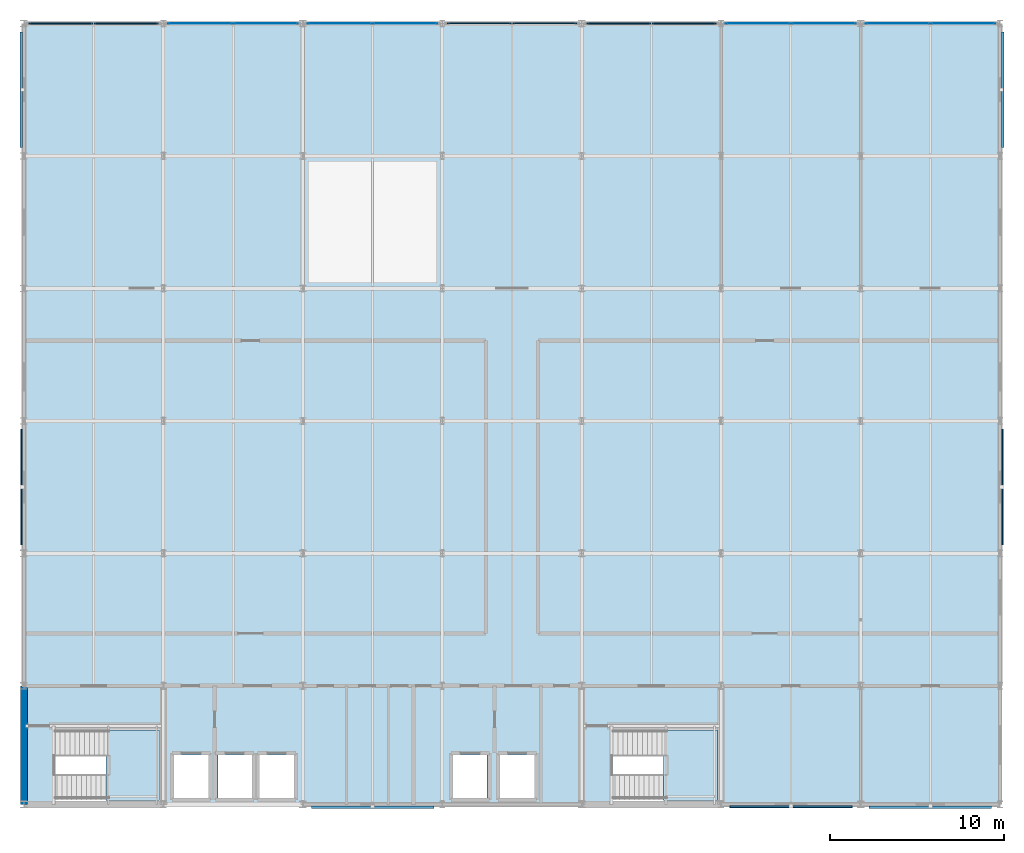
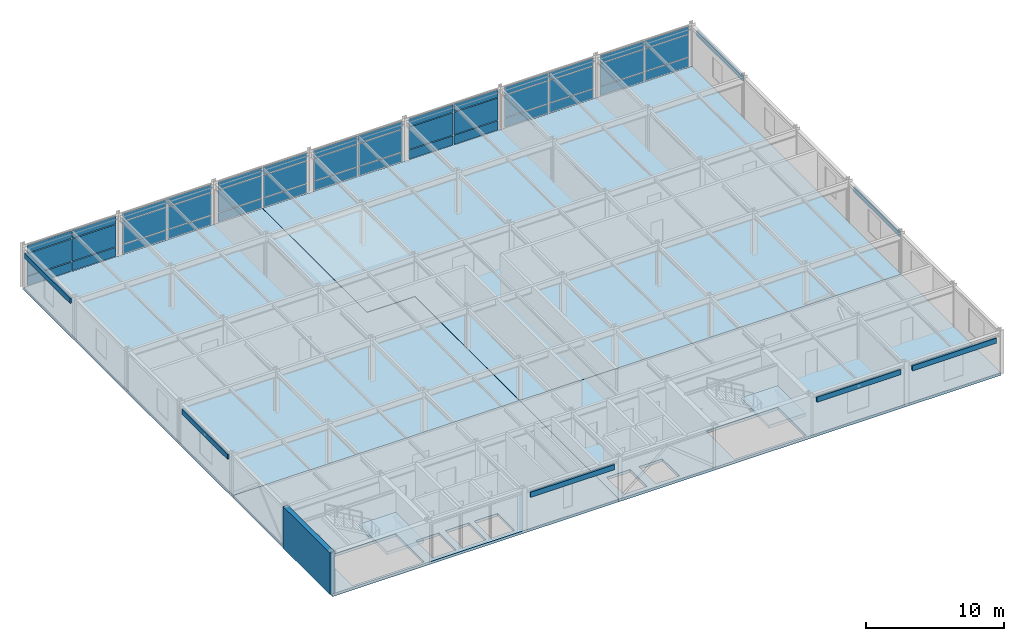
# One storey, part 10 of 14: 49 plates, 6 slabs, 1 wall, 9 elements without a shape of their own.
"""IFC4 building model written with IfcOpenShell, lengths in metres."""

from ifc_helpers import new_model, si_unit, direction, frame, frame_2d, origin, origin_2d, place, context, subcontext, project, spatial, polyline, rectangle, outline, extrude, material, layer, layer_set, type_object, element, aggregate, save


model = new_model("IFC4")

# Units and contexts
model_context = context("Model", 3, precision=1e-05, world=origin(), true_north=direction((0.0, 1.0)))
body_context = subcontext(model_context, "Body", "Model", "MODEL_VIEW")
ifc_project = project(units=[si_unit("LENGTHUNIT", "METRE"), si_unit("AREAUNIT", "SQUARE_METRE"), si_unit("VOLUMEUNIT", "CUBIC_METRE"), si_unit("PLANEANGLEUNIT", "RADIAN"), si_unit("MASSUNIT", "GRAM", prefix="KILO")], contexts=[model_context])

# Site, building, storey
site_placement = place(None, origin())
site = spatial("IfcSite", under=ifc_project, at=site_placement, CompositionType="ELEMENT")
building_placement = place(site_placement, origin())
building = spatial("IfcBuilding", under=site, at=building_placement, Name="Shalkamar Park Central Library", CompositionType="ELEMENT")
storey_placement = place(building_placement, frame((0.0, 0.0, 32.10009765625)))
storey = spatial("IfcBuildingStorey", under=building, at=storey_placement, Name="L08", CompositionType="ELEMENT", Elevation=32.10009765625)

# Plates
ifc_material_1 = material(Name="Anodized bronze architectural frieze plate", Category="aluminium")
ifc_layer_1 = layer(ifc_material_1, 0.110107421875)
ifc_layer_set_1 = layer_set([ifc_layer_1], Name="BronzeSpandrelFriezePlate_110")
plate_type_1 = type_object("IfcPlateType", Name="Bronze Spandrel Frieze Plate 110", PredefinedType="USERDEFINED", material=ifc_layer_set_1)
plate_1_placement = place(storey_placement, frame((209.0, 248.260009765625, 2.91796875), z_axis=(0.0, 0.0, 1.0), x_axis=(1.0, 0.0, 0.0)))
element("IfcPlate", 1, at=plate_1_placement, inside=storey, type_object=plate_type_1, Name="Bronze Spandrel Frieze Plate L08-043", ObjectType="CLADDING", PredefinedType="USERDEFINED", context=body_context, shape_type="SweptSolid", body=[
    extrude(rectangle(XDim=7.028076171875, YDim=0.110107421875, at=origin_2d()), origin(), (0.0, 0.0, 1.0), 0.449951171875),
])
for number, where, z_axis, x_axis, name in (
    (2, (164.860107421875, 266.60009765625, 2.9580078125), (0.0, 0.0, 1.0), (1.0, 0.0, 0.0), "Bronze Spandrel Frieze Plate L08-045"),
    (3, (221.139892578125, 266.60009765625, 2.9580078125), (0.0, 0.0, 1.0), (1.0, 0.0, 0.0), "Bronze Spandrel Frieze Plate L08-047"),
):
    element("IfcPlate", number, at=place(storey_placement, frame(where, z_axis=z_axis, x_axis=x_axis)), inside=storey, type_object=plate_type_1, Name=name, ObjectType="CLADDING", PredefinedType="USERDEFINED", context=body_context, shape_type="SweptSolid", body=[
        extrude(rectangle(XDim=0.110107421875, YDim=6.6279296875, at=origin_2d()), origin(), (0.0, 0.0, 1.0), 0.449951171875),
    ])
ifc_material_2 = material(Name="Anodized bronze stepped frieze plate", Category="aluminium")
ifc_layer_2 = layer(ifc_material_2, 0.139892578125)
ifc_layer_set_2 = layer_set([ifc_layer_2], Name="PostmodernKeystoneFriezePlate_140")
plate_type_2 = type_object("IfcPlateType", Name="Postmodern Keystone Frieze Plate 140", PredefinedType="USERDEFINED", material=ifc_layer_set_2)
for number, where, z_axis, x_axis, name in (
    (4, (185.0, 248.2451171875, 2.91796875), (0.0, 0.0, 1.0), (1.0, 0.0, 0.0), "Bronze Spandrel Frieze Plate L08-042"),
    (5, (217.0, 248.2451171875, 2.91796875), (0.0, 0.0, 1.0), (1.0, 0.0, 0.0), "Bronze Spandrel Frieze Plate L08-044"),
):
    element("IfcPlate", number, at=place(storey_placement, frame(where, z_axis=z_axis, x_axis=x_axis)), inside=storey, type_object=plate_type_2, Name=name, ObjectType="CLADDING", PredefinedType="USERDEFINED", context=body_context, shape_type="SweptSolid", body=[
        extrude(rectangle(XDim=7.028076171875, YDim=0.139892578125, at=origin_2d()), origin(), (0.0, 0.0, 1.0), 0.449951171875),
    ])
for number, where, z_axis, x_axis, name in (
    (6, (164.844970703125, 289.39990234375, 2.9580078125), (0.0, 0.0, 1.0), (1.0, 0.0, 0.0), "Bronze Spandrel Frieze Plate L08-046"),
    (7, (221.155029296875, 289.39990234375, 2.9580078125), (0.0, 0.0, 1.0), (1.0, 0.0, 0.0), "Bronze Spandrel Frieze Plate L08-048"),
):
    element("IfcPlate", number, at=place(storey_placement, frame(where, z_axis=z_axis, x_axis=x_axis)), inside=storey, type_object=plate_type_2, Name=name, ObjectType="CLADDING", PredefinedType="USERDEFINED", context=body_context, shape_type="SweptSolid", body=[
        extrude(rectangle(XDim=0.139892578125, YDim=6.6279296875, at=origin_2d()), origin(), (0.0, 0.0, 1.0), 0.449951171875),
    ])

# Curtain wall, plates
ifc_material_3 = material(Name="Thermally broken aluminium and triple low-e curtain wall", Category="aluminium")
ifc_layer_3 = layer(ifc_material_3, 0.27001953125)
ifc_layer_set_3 = layer_set([ifc_layer_3], Name="UnitisedCurtainWall_76")
curtain_wall_type_1 = type_object("IfcCurtainWallType", Name="Unitised Curtain Wall 76", PredefinedType="USERDEFINED", material=ifc_layer_set_3)
curtain_wall_1_placement = place(storey_placement, origin())
curtain_wall_1 = element("IfcCurtainWall", 8, at=curtain_wall_1_placement, inside=storey, type_object=curtain_wall_type_1, Name="Unitised Curtain Wall CW-L08-106", ObjectType="UNITISED CURTAIN WALL", PredefinedType="USERDEFINED")
ifc_material_4 = material(Name="Triple-glazed solar-control glass", Category="glass")
ifc_layer_4 = layer(ifc_material_4, 0.031982421875)
ifc_layer_set_4 = layer_set([ifc_layer_4], Name="SolarControlVisionPanel_32")
plate_type_3 = type_object("IfcPlateType", Name="Solar Control Vision Panel 32", PredefinedType="CURTAIN_PANEL", material=ifc_layer_set_4)
plate_2_placement = place(storey_placement, frame((175.120361328125, 293.199951171875, 0.06494140625), z_axis=(0.0, 0.0, 1.0), x_axis=(1.0, 0.0, 0.0)))
plate_2 = element("IfcPlate", 9, at=plate_2_placement, type_object=plate_type_3, Name="CW-76 panel 1.1", PredefinedType="CURTAIN_PANEL", context=body_context, shape_type="SweptSolid", body=[
    extrude(rectangle(XDim=3.677734375, YDim=0.031982421875, at=origin_2d()), origin(), (0.0, 0.0, 1.0), 0.802490234375),
])
plate_3_placement = place(storey_placement, frame((175.120361328125, 293.199951171875, 0.93212890625), z_axis=(0.0, 0.0, 1.0), x_axis=(1.0, 0.0, 0.0)))
plate_3 = element("IfcPlate", 10, at=plate_3_placement, type_object=plate_type_3, Name="CW-76 panel 1.2", PredefinedType="CURTAIN_PANEL", context=body_context, shape_type="SweptSolid", body=[
    extrude(rectangle(XDim=3.677734375, YDim=0.031982421875, at=origin_2d()), origin(), (0.0, 0.0, 1.0), 1.965087890625),
])
plate_4_placement = place(storey_placement, frame((175.120361328125, 293.199951171875, 2.96240234375), z_axis=(0.0, 0.0, 1.0), x_axis=(1.0, 0.0, 0.0)))
plate_4 = element("IfcPlate", 11, at=plate_4_placement, type_object=plate_type_3, Name="CW-76 panel 1.3", PredefinedType="CURTAIN_PANEL", context=body_context, shape_type="SweptSolid", body=[
    extrude(rectangle(XDim=3.677734375, YDim=0.031982421875, at=origin_2d()), origin(), (0.0, 0.0, 1.0), 0.652587890625),
])
plate_5_placement = place(storey_placement, frame((178.878173828125, 293.199951171875, 0.06494140625), z_axis=(0.0, 0.0, 1.0), x_axis=(1.0, 0.0, 0.0)))
plate_5 = element("IfcPlate", 12, at=plate_5_placement, type_object=plate_type_3, Name="CW-76 panel 2.1", PredefinedType="CURTAIN_PANEL", context=body_context, shape_type="SweptSolid", body=[
    extrude(rectangle(XDim=3.677734375, YDim=0.031982421875, at=origin_2d()), origin(), (0.0, 0.0, 1.0), 0.802490234375),
])
plate_6_placement = place(storey_placement, frame((178.878173828125, 293.199951171875, 0.93212890625), z_axis=(0.0, 0.0, 1.0), x_axis=(1.0, 0.0, 0.0)))
plate_6 = element("IfcPlate", 13, at=plate_6_placement, type_object=plate_type_3, Name="CW-76 panel 2.2", PredefinedType="CURTAIN_PANEL", context=body_context, shape_type="SweptSolid", body=[
    extrude(rectangle(XDim=3.677734375, YDim=0.031982421875, at=origin_2d()), origin(), (0.0, 0.0, 1.0), 1.965087890625),
])
plate_7_placement = place(storey_placement, frame((178.878173828125, 293.199951171875, 2.96240234375), z_axis=(0.0, 0.0, 1.0), x_axis=(1.0, 0.0, 0.0)))
plate_7 = element("IfcPlate", 14, at=plate_7_placement, type_object=plate_type_3, Name="CW-76 panel 2.3", PredefinedType="CURTAIN_PANEL", context=body_context, shape_type="SweptSolid", body=[
    extrude(rectangle(XDim=3.677734375, YDim=0.031982421875, at=origin_2d()), origin(), (0.0, 0.0, 1.0), 0.652587890625),
])
aggregate(curtain_wall_1, [plate_2, plate_3, plate_4, plate_5, plate_6, plate_7])

ifc_layer_5 = layer(ifc_material_3, 0.260009765625)
ifc_layer_set_5 = layer_set([ifc_layer_5], Name="UnitisedCurtainWall_80")
curtain_wall_type_2 = type_object("IfcCurtainWallType", Name="Unitised Curtain Wall 80", PredefinedType="USERDEFINED", material=ifc_layer_set_5)
curtain_wall_2_placement = place(storey_placement, origin())
curtain_wall_2 = element("IfcCurtainWall", 15, at=curtain_wall_2_placement, inside=storey, type_object=curtain_wall_type_2, Name="Unitised Curtain Wall CW-L08-110", ObjectType="UNITISED CURTAIN WALL", PredefinedType="USERDEFINED")
plate_8_placement = place(storey_placement, frame((207.119140625, 293.199951171875, 0.059814453125), z_axis=(0.0, 0.0, 1.0), x_axis=(1.0, 0.0, 0.0)))
plate_8 = element("IfcPlate", 16, at=plate_8_placement, type_object=plate_type_3, Name="CW-80 panel 1.1", PredefinedType="CURTAIN_PANEL", context=body_context, shape_type="SweptSolid", body=[
    extrude(rectangle(XDim=3.685302734375, YDim=0.031982421875, at=origin_2d()), origin(), (0.0, 0.0, 1.0), 0.81005859375),
])
plate_9_placement = place(storey_placement, frame((207.119140625, 293.199951171875, 0.9296875), z_axis=(0.0, 0.0, 1.0), x_axis=(1.0, 0.0, 0.0)))
plate_9 = element("IfcPlate", 17, at=plate_9_placement, type_object=plate_type_3, Name="CW-80 panel 1.2", PredefinedType="CURTAIN_PANEL", context=body_context, shape_type="SweptSolid", body=[
    extrude(rectangle(XDim=3.685302734375, YDim=0.031982421875, at=origin_2d()), origin(), (0.0, 0.0, 1.0), 1.969970703125),
])
plate_10_placement = place(storey_placement, frame((207.119140625, 293.199951171875, 2.9599609375), z_axis=(0.0, 0.0, 1.0), x_axis=(1.0, 0.0, 0.0)))
plate_10 = element("IfcPlate", 18, at=plate_10_placement, type_object=plate_type_3, Name="CW-80 panel 1.3", PredefinedType="CURTAIN_PANEL", context=body_context, shape_type="SweptSolid", body=[
    extrude(rectangle(XDim=3.685302734375, YDim=0.031982421875, at=origin_2d()), origin(), (0.0, 0.0, 1.0), 0.659912109375),
])
plate_11_placement = place(storey_placement, frame((210.87939453125, 293.199951171875, 0.059814453125), z_axis=(0.0, 0.0, 1.0), x_axis=(1.0, 0.0, 0.0)))
plate_11 = element("IfcPlate", 19, at=plate_11_placement, type_object=plate_type_3, Name="CW-80 panel 2.1", PredefinedType="CURTAIN_PANEL", context=body_context, shape_type="SweptSolid", body=[
    extrude(rectangle(XDim=3.685302734375, YDim=0.031982421875, at=origin_2d()), origin(), (0.0, 0.0, 1.0), 0.81005859375),
])
plate_12_placement = place(storey_placement, frame((210.87939453125, 293.199951171875, 0.9296875), z_axis=(0.0, 0.0, 1.0), x_axis=(1.0, 0.0, 0.0)))
plate_12 = element("IfcPlate", 20, at=plate_12_placement, type_object=plate_type_3, Name="CW-80 panel 2.2", PredefinedType="CURTAIN_PANEL", context=body_context, shape_type="SweptSolid", body=[
    extrude(rectangle(XDim=3.685302734375, YDim=0.031982421875, at=origin_2d()), origin(), (0.0, 0.0, 1.0), 1.969970703125),
])
plate_13_placement = place(storey_placement, frame((210.87939453125, 293.199951171875, 2.9599609375), z_axis=(0.0, 0.0, 1.0), x_axis=(1.0, 0.0, 0.0)))
plate_13 = element("IfcPlate", 21, at=plate_13_placement, type_object=plate_type_3, Name="CW-80 panel 2.3", PredefinedType="CURTAIN_PANEL", context=body_context, shape_type="SweptSolid", body=[
    extrude(rectangle(XDim=3.685302734375, YDim=0.031982421875, at=origin_2d()), origin(), (0.0, 0.0, 1.0), 0.659912109375),
])
aggregate(curtain_wall_2, [plate_8, plate_9, plate_10, plate_11, plate_12, plate_13])

ifc_layer_6 = layer(ifc_material_3, 0.2548828125)
ifc_layer_set_6 = layer_set([ifc_layer_6], Name="UnitisedCurtainWall_75")
curtain_wall_type_3 = type_object("IfcCurtainWallType", Name="Unitised Curtain Wall 75", PredefinedType="USERDEFINED", material=ifc_layer_set_6)
curtain_wall_3_placement = place(storey_placement, origin())
curtain_wall_3 = element("IfcCurtainWall", 22, at=curtain_wall_3_placement, inside=storey, type_object=curtain_wall_type_3, Name="Unitised Curtain Wall CW-L08-105", ObjectType="UNITISED CURTAIN WALL", PredefinedType="USERDEFINED")
ifc_material_5 = material(Name="Insulated aluminium spandrel panel", Category="aluminium")
ifc_layer_7 = layer(ifc_material_5, 0.080078125)
ifc_layer_set_7 = layer_set([ifc_layer_7], Name="SpandrelShadowboxPanel_80")
plate_type_4 = type_object("IfcPlateType", Name="Spandrel Shadowbox Panel 80", PredefinedType="CURTAIN_PANEL", material=ifc_layer_set_7)
plate_14_placement = place(storey_placement, frame((167.121826171875, 293.199951171875, 0.06494140625), z_axis=(0.0, 0.0, 1.0), x_axis=(1.0, 0.0, 0.0)))
plate_14 = element("IfcPlate", 23, at=plate_14_placement, type_object=plate_type_4, Name="CW-75 panel 1.1", PredefinedType="CURTAIN_PANEL", context=body_context, shape_type="SweptSolid", body=[
    extrude(rectangle(XDim=3.677734375, YDim=0.080078125, at=origin_2d()), origin(), (0.0, 0.0, 1.0), 0.802490234375),
])
plate_15_placement = place(storey_placement, frame((167.121826171875, 293.199951171875, 0.93212890625), z_axis=(0.0, 0.0, 1.0), x_axis=(1.0, 0.0, 0.0)))
plate_15 = element("IfcPlate", 24, at=plate_15_placement, type_object=plate_type_4, Name="CW-75 panel 1.2", PredefinedType="CURTAIN_PANEL", context=body_context, shape_type="SweptSolid", body=[
    extrude(rectangle(XDim=3.677734375, YDim=0.080078125, at=origin_2d()), origin(), (0.0, 0.0, 1.0), 1.965087890625),
])
plate_16_placement = place(storey_placement, frame((167.121826171875, 293.199951171875, 2.96240234375), z_axis=(0.0, 0.0, 1.0), x_axis=(1.0, 0.0, 0.0)))
plate_16 = element("IfcPlate", 25, at=plate_16_placement, type_object=plate_type_4, Name="CW-75 panel 1.3", PredefinedType="CURTAIN_PANEL", context=body_context, shape_type="SweptSolid", body=[
    extrude(rectangle(XDim=3.677734375, YDim=0.080078125, at=origin_2d()), origin(), (0.0, 0.0, 1.0), 0.652587890625),
])
plate_17_placement = place(storey_placement, frame((170.879638671875, 293.199951171875, 0.06494140625), z_axis=(0.0, 0.0, 1.0), x_axis=(1.0, 0.0, 0.0)))
plate_17 = element("IfcPlate", 26, at=plate_17_placement, type_object=plate_type_4, Name="CW-75 panel 2.1", PredefinedType="CURTAIN_PANEL", context=body_context, shape_type="SweptSolid", body=[
    extrude(rectangle(XDim=3.677734375, YDim=0.080078125, at=origin_2d()), origin(), (0.0, 0.0, 1.0), 0.802490234375),
])
plate_18_placement = place(storey_placement, frame((170.879638671875, 293.199951171875, 0.93212890625), z_axis=(0.0, 0.0, 1.0), x_axis=(1.0, 0.0, 0.0)))
plate_18 = element("IfcPlate", 27, at=plate_18_placement, type_object=plate_type_4, Name="CW-75 panel 2.2", PredefinedType="CURTAIN_PANEL", context=body_context, shape_type="SweptSolid", body=[
    extrude(rectangle(XDim=3.677734375, YDim=0.080078125, at=origin_2d()), origin(), (0.0, 0.0, 1.0), 1.965087890625),
])
plate_19_placement = place(storey_placement, frame((170.879638671875, 293.199951171875, 2.96240234375), z_axis=(0.0, 0.0, 1.0), x_axis=(1.0, 0.0, 0.0)))
plate_19 = element("IfcPlate", 28, at=plate_19_placement, type_object=plate_type_4, Name="CW-75 panel 2.3", PredefinedType="CURTAIN_PANEL", context=body_context, shape_type="SweptSolid", body=[
    extrude(rectangle(XDim=3.677734375, YDim=0.080078125, at=origin_2d()), origin(), (0.0, 0.0, 1.0), 0.652587890625),
])
aggregate(curtain_wall_3, [plate_14, plate_15, plate_16, plate_17, plate_18, plate_19])

ifc_layer_8 = layer(ifc_material_3, 0.25)
ifc_layer_set_8 = layer_set([ifc_layer_8], Name="UnitisedCurtainWall_79")
curtain_wall_type_4 = type_object("IfcCurtainWallType", Name="Unitised Curtain Wall 79", PredefinedType="USERDEFINED", material=ifc_layer_set_8)
curtain_wall_4_placement = place(storey_placement, origin())
curtain_wall_4 = element("IfcCurtainWall", 29, at=curtain_wall_4_placement, inside=storey, type_object=curtain_wall_type_4, Name="Unitised Curtain Wall CW-L08-109", ObjectType="UNITISED CURTAIN WALL", PredefinedType="USERDEFINED")
plate_20_placement = place(storey_placement, frame((199.12060546875, 293.199951171875, 0.059814453125), z_axis=(0.0, 0.0, 1.0), x_axis=(1.0, 0.0, 0.0)))
plate_20 = element("IfcPlate", 30, at=plate_20_placement, type_object=plate_type_4, Name="CW-79 panel 1.1", PredefinedType="CURTAIN_PANEL", context=body_context, shape_type="SweptSolid", body=[
    extrude(rectangle(XDim=3.685302734375, YDim=0.080078125, at=origin_2d()), origin(), (0.0, 0.0, 1.0), 0.81005859375),
])
plate_21_placement = place(storey_placement, frame((199.12060546875, 293.199951171875, 0.9296875), z_axis=(0.0, 0.0, 1.0), x_axis=(1.0, 0.0, 0.0)))
plate_21 = element("IfcPlate", 31, at=plate_21_placement, type_object=plate_type_4, Name="CW-79 panel 1.2", PredefinedType="CURTAIN_PANEL", context=body_context, shape_type="SweptSolid", body=[
    extrude(rectangle(XDim=3.685302734375, YDim=0.080078125, at=origin_2d()), origin(), (0.0, 0.0, 1.0), 1.969970703125),
])
plate_22_placement = place(storey_placement, frame((199.12060546875, 293.199951171875, 2.9599609375), z_axis=(0.0, 0.0, 1.0), x_axis=(1.0, 0.0, 0.0)))
plate_22 = element("IfcPlate", 32, at=plate_22_placement, type_object=plate_type_4, Name="CW-79 panel 1.3", PredefinedType="CURTAIN_PANEL", context=body_context, shape_type="SweptSolid", body=[
    extrude(rectangle(XDim=3.685302734375, YDim=0.080078125, at=origin_2d()), origin(), (0.0, 0.0, 1.0), 0.659912109375),
])
plate_23_placement = place(storey_placement, frame((202.880859375, 293.199951171875, 0.059814453125), z_axis=(0.0, 0.0, 1.0), x_axis=(1.0, 0.0, 0.0)))
plate_23 = element("IfcPlate", 33, at=plate_23_placement, type_object=plate_type_4, Name="CW-79 panel 2.1", PredefinedType="CURTAIN_PANEL", context=body_context, shape_type="SweptSolid", body=[
    extrude(rectangle(XDim=3.685302734375, YDim=0.080078125, at=origin_2d()), origin(), (0.0, 0.0, 1.0), 0.81005859375),
])
plate_24_placement = place(storey_placement, frame((202.880859375, 293.199951171875, 0.9296875), z_axis=(0.0, 0.0, 1.0), x_axis=(1.0, 0.0, 0.0)))
plate_24 = element("IfcPlate", 34, at=plate_24_placement, type_object=plate_type_4, Name="CW-79 panel 2.2", PredefinedType="CURTAIN_PANEL", context=body_context, shape_type="SweptSolid", body=[
    extrude(rectangle(XDim=3.685302734375, YDim=0.080078125, at=origin_2d()), origin(), (0.0, 0.0, 1.0), 1.969970703125),
])
plate_25_placement = place(storey_placement, frame((202.880859375, 293.199951171875, 2.9599609375), z_axis=(0.0, 0.0, 1.0), x_axis=(1.0, 0.0, 0.0)))
plate_25 = element("IfcPlate", 35, at=plate_25_placement, type_object=plate_type_4, Name="CW-79 panel 2.3", PredefinedType="CURTAIN_PANEL", context=body_context, shape_type="SweptSolid", body=[
    extrude(rectangle(XDim=3.685302734375, YDim=0.080078125, at=origin_2d()), origin(), (0.0, 0.0, 1.0), 0.659912109375),
])
aggregate(curtain_wall_4, [plate_20, plate_21, plate_22, plate_23, plate_24, plate_25])

# Stair, slab
ifc_material_6 = material(Name="Concrete C35/45", Category="concrete")
stair_type = type_object("IfcStairType", Name="Protected Dog Leg Stair 150x390", PredefinedType="TWO_STRAIGHT_RUN_STAIR", material=ifc_material_6)
stair_1_placement = place(storey_placement, origin())
stair_1 = element("IfcStair", 36, at=stair_1_placement, inside=storey, type_object=stair_type, Name="Protected Core Stair ST-T1-L08", PredefinedType="TWO_STRAIGHT_RUN_STAIR")
ifc_layer_9 = layer(ifc_material_6, 0.280029296875)
ifc_layer_set_9 = layer_set([ifc_layer_9], Name="Concrete C35/45")
slab_type_1 = type_object("IfcSlabType", Name="Stair Landing Slab 160", PredefinedType="LANDING", material=ifc_layer_set_9)
slab_1_placement = place(storey_placement, frame((0.0, 0.0, 1.669921875)))
slab_1 = element("IfcSlab", 37, at=slab_1_placement, type_object=slab_type_1, Name="ST-T1-L08 landing 1", PredefinedType="LANDING", context=body_context, shape_type="SweptSolid", body=[
    extrude(outline(polyline([(169.699951171875, 248.6201171875), (172.780029296875, 248.6201171875), (172.780029296875, 252.679931640625), (169.699951171875, 252.679931640625), (169.699951171875, 248.6201171875)])), origin(), (0.0, 0.0, 1.0), 0.280029296875),
])
aggregate(stair_1, [slab_1])

stair_2_placement = place(storey_placement, origin())
stair_2 = element("IfcStair", 38, at=stair_2_placement, inside=storey, type_object=stair_type, Name="Protected Core Stair ST-T2-L08", PredefinedType="TWO_STRAIGHT_RUN_STAIR")
slab_2_placement = place(storey_placement, frame((0.0, 0.0, 1.669921875)))
slab_2 = element("IfcSlab", 39, at=slab_2_placement, type_object=slab_type_1, Name="ST-T2-L08 landing 1", PredefinedType="LANDING", context=body_context, shape_type="SweptSolid", body=[
    extrude(outline(polyline([(201.699951171875, 248.6201171875), (204.780029296875, 248.6201171875), (204.780029296875, 252.679931640625), (201.699951171875, 252.679931640625), (201.699951171875, 248.6201171875)])), origin(), (0.0, 0.0, 1.0), 0.280029296875),
])
aggregate(stair_2, [slab_2])

# Slabs
ifc_layer_10 = layer(ifc_material_6, 0.239990234375)
ifc_layer_set_10 = layer_set([ifc_layer_10], Name="Concrete C35/45")
slab_type_2 = type_object("IfcSlabType", Name="Suspended Floor Slab 240", PredefinedType="FLOOR", material=ifc_layer_set_10)
slab_3_placement = place(storey_placement, frame((0.0, 0.0, -0.239990234375)))
element("IfcSlab", 40, at=slab_3_placement, inside=storey, type_object=slab_type_2, Name="Level L08 Composite Floor Slab NW", PredefinedType="FLOOR", context=body_context, shape_type="SweptSolid", body=[
    extrude(outline(polyline([(165.0, 262.800048828125), (188.989990234375, 262.800048828125), (188.989990234375, 277.989990234375), (184.989990234375, 277.989990234375), (184.989990234375, 293.199951171875), (165.0, 293.199951171875), (165.0, 262.800048828125)])), origin(), (0.0, 0.0, 1.0), 0.239990234375),
])
slab_4_placement = place(storey_placement, frame((0.0, 0.0, -0.239990234375)))
element("IfcSlab", 41, at=slab_4_placement, inside=storey, type_object=slab_type_2, Name="Level L08 Composite Floor Slab NE", PredefinedType="FLOOR", context=body_context, shape_type="SweptSolid", body=[
    extrude(outline(polyline([(189.010009765625, 262.800048828125), (221.0, 262.800048828125), (221.0, 293.199951171875), (185.010009765625, 293.199951171875), (185.010009765625, 278.010009765625), (189.010009765625, 278.010009765625), (189.010009765625, 262.800048828125)])), origin(), (0.0, 0.0, 1.0), 0.239990234375),
])
slab_5_placement = place(storey_placement, frame((0.0, 0.0, -0.239990234375)))
element("IfcSlab", 42, at=slab_5_placement, inside=storey, type_object=slab_type_2, Name="Level L08 Composite Floor Slab SW", PredefinedType="FLOOR", context=body_context, shape_type="SweptSolid", body=[
    extrude(outline(polyline([(165.0, 248.39990234375), (165.0, 262.800048828125), (189.0, 262.800048828125), (189.0, 248.39990234375), (165.0, 248.39990234375)]), holes=[polyline([(173.6201171875, 248.77001953125), (175.580078125, 248.77001953125), (175.580078125, 251.22998046875), (173.6201171875, 251.22998046875), (173.6201171875, 248.77001953125)]), polyline([(176.1201171875, 251.22998046875), (176.1201171875, 248.77001953125), (178.080078125, 248.77001953125), (178.080078125, 251.22998046875), (176.1201171875, 251.22998046875)]), polyline([(178.52001953125, 251.22998046875), (178.52001953125, 248.77001953125), (180.47998046875, 248.77001953125), (180.47998046875, 251.22998046875), (178.52001953125, 251.22998046875)]), polyline([(166.800048828125, 252.699951171875), (166.800048828125, 248.60009765625), (172.800048828125, 248.60009765625), (172.800048828125, 252.699951171875), (166.800048828125, 252.699951171875)])]), origin(), (0.0, 0.0, 1.0), 0.239990234375),
])
slab_6_placement = place(storey_placement, frame((0.0, 0.0, -0.239990234375)))
element("IfcSlab", 43, at=slab_6_placement, inside=storey, type_object=slab_type_2, Name="Level L08 Composite Floor Slab SE", PredefinedType="FLOOR", context=body_context, shape_type="SweptSolid", body=[
    extrude(outline(polyline([(189.0, 248.39990234375), (189.0, 262.800048828125), (221.0, 262.800048828125), (221.0, 248.39990234375), (189.0, 248.39990234375)]), holes=[polyline([(189.6201171875, 251.22998046875), (189.6201171875, 248.77001953125), (191.580078125, 248.77001953125), (191.580078125, 251.22998046875), (189.6201171875, 251.22998046875)]), polyline([(192.320068359375, 251.22998046875), (192.320068359375, 248.77001953125), (194.280029296875, 248.77001953125), (194.280029296875, 251.22998046875), (192.320068359375, 251.22998046875)]), polyline([(198.800048828125, 252.699951171875), (198.800048828125, 248.60009765625), (204.800048828125, 248.60009765625), (204.800048828125, 252.699951171875), (198.800048828125, 252.699951171875)])]), origin(), (0.0, 0.0, 1.0), 0.239990234375),
])

# Curtain wall, plates
ifc_layer_11 = layer(ifc_material_3, 0.280029296875)
ifc_layer_set_11 = layer_set([ifc_layer_11], Name="UnitisedCurtainWall_78")
curtain_wall_type_5 = type_object("IfcCurtainWallType", Name="Unitised Curtain Wall 78", PredefinedType="USERDEFINED", material=ifc_layer_set_11)
curtain_wall_5_placement = place(storey_placement, origin())
curtain_wall_5 = element("IfcCurtainWall", 44, at=curtain_wall_5_placement, inside=storey, type_object=curtain_wall_type_5, Name="Unitised Curtain Wall CW-L08-108", ObjectType="UNITISED CURTAIN WALL", PredefinedType="USERDEFINED")
ifc_material_7 = material(Name="Triple-glazed laminated glass", Category="glass")
ifc_layer_12 = layer(ifc_material_7, 0.06005859375)
ifc_layer_set_12 = layer_set([ifc_layer_12], Name="TripleGlazedPodiumPanel_60")
plate_type_5 = type_object("IfcPlateType", Name="Triple Glazed Podium Panel 60", PredefinedType="CURTAIN_PANEL", material=ifc_layer_set_12)
plate_26_placement = place(storey_placement, frame((191.122802734375, 293.199951171875, 0.06982421875), z_axis=(0.0, 0.0, 1.0), x_axis=(1.0, 0.0, 0.0)))
plate_26 = element("IfcPlate", 45, at=plate_26_placement, type_object=plate_type_5, Name="CW-78 panel 1.1", PredefinedType="CURTAIN_PANEL", context=body_context, shape_type="SweptSolid", body=[
    extrude(rectangle(XDim=3.662841796875, YDim=0.06005859375, at=origin_2d()), origin(), (0.0, 0.0, 1.0), 0.794921875),
])
plate_27_placement = place(storey_placement, frame((191.122802734375, 293.199951171875, 0.934814453125), z_axis=(0.0, 0.0, 1.0), x_axis=(1.0, 0.0, 0.0)))
plate_27 = element("IfcPlate", 46, at=plate_27_placement, type_object=plate_type_5, Name="CW-78 panel 1.2", PredefinedType="CURTAIN_PANEL", context=body_context, shape_type="SweptSolid", body=[
    extrude(rectangle(XDim=3.662841796875, YDim=0.06005859375, at=origin_2d()), origin(), (0.0, 0.0, 1.0), 1.9599609375),
])
plate_28_placement = place(storey_placement, frame((191.122802734375, 293.199951171875, 2.96484375), z_axis=(0.0, 0.0, 1.0), x_axis=(1.0, 0.0, 0.0)))
plate_28 = element("IfcPlate", 47, at=plate_28_placement, type_object=plate_type_5, Name="CW-78 panel 1.3", PredefinedType="CURTAIN_PANEL", context=body_context, shape_type="SweptSolid", body=[
    extrude(rectangle(XDim=3.662841796875, YDim=0.06005859375, at=origin_2d()), origin(), (0.0, 0.0, 1.0), 0.64501953125),
])
plate_29_placement = place(storey_placement, frame((194.875732421875, 293.199951171875, 0.06982421875), z_axis=(0.0, 0.0, 1.0), x_axis=(1.0, 0.0, 0.0)))
plate_29 = element("IfcPlate", 48, at=plate_29_placement, type_object=plate_type_5, Name="CW-78 panel 2.1", PredefinedType="CURTAIN_PANEL", context=body_context, shape_type="SweptSolid", body=[
    extrude(rectangle(XDim=3.662841796875, YDim=0.06005859375, at=origin_2d()), origin(), (0.0, 0.0, 1.0), 0.794921875),
])
plate_30_placement = place(storey_placement, frame((194.875732421875, 293.199951171875, 0.934814453125), z_axis=(0.0, 0.0, 1.0), x_axis=(1.0, 0.0, 0.0)))
plate_30 = element("IfcPlate", 49, at=plate_30_placement, type_object=plate_type_5, Name="CW-78 panel 2.2", PredefinedType="CURTAIN_PANEL", context=body_context, shape_type="SweptSolid", body=[
    extrude(rectangle(XDim=3.662841796875, YDim=0.06005859375, at=origin_2d()), origin(), (0.0, 0.0, 1.0), 1.9599609375),
])
plate_31_placement = place(storey_placement, frame((194.875732421875, 293.199951171875, 2.96484375), z_axis=(0.0, 0.0, 1.0), x_axis=(1.0, 0.0, 0.0)))
plate_31 = element("IfcPlate", 50, at=plate_31_placement, type_object=plate_type_5, Name="CW-78 panel 2.3", PredefinedType="CURTAIN_PANEL", context=body_context, shape_type="SweptSolid", body=[
    extrude(rectangle(XDim=3.662841796875, YDim=0.06005859375, at=origin_2d()), origin(), (0.0, 0.0, 1.0), 0.64501953125),
])
aggregate(curtain_wall_5, [plate_26, plate_27, plate_28, plate_29, plate_30, plate_31])

ifc_layer_13 = layer(ifc_material_3, 0.264892578125)
ifc_layer_set_13 = layer_set([ifc_layer_13], Name="UnitisedCurtainWall_77")
curtain_wall_type_6 = type_object("IfcCurtainWallType", Name="Unitised Curtain Wall 77", PredefinedType="USERDEFINED", material=ifc_layer_set_13)
curtain_wall_6_placement = place(storey_placement, origin())
curtain_wall_6 = element("IfcCurtainWall", 51, at=curtain_wall_6_placement, inside=storey, type_object=curtain_wall_type_6, Name="Unitised Curtain Wall CW-L08-107", ObjectType="UNITISED CURTAIN WALL", PredefinedType="USERDEFINED")
ifc_material_8 = material(Name="Triple-glazed low-e safety glass", Category="glass")
ifc_layer_14 = layer(ifc_material_8, 0.0439453125)
ifc_layer_set_14 = layer_set([ifc_layer_14], Name="TripleGlazedVisionPanel_44")
plate_type_6 = type_object("IfcPlateType", Name="Triple Glazed Vision Panel 44", PredefinedType="CURTAIN_PANEL", material=ifc_layer_set_14)
plate_32_placement = place(storey_placement, frame((183.123046875, 293.199951171875, 0.06982421875), z_axis=(0.0, 0.0, 1.0), x_axis=(1.0, 0.0, 0.0)))
plate_32 = element("IfcPlate", 52, at=plate_32_placement, type_object=plate_type_6, Name="CW-77 panel 1.1", PredefinedType="CURTAIN_PANEL", context=body_context, shape_type="SweptSolid", body=[
    extrude(rectangle(XDim=3.670166015625, YDim=0.0439453125, at=origin_2d()), origin(), (0.0, 0.0, 1.0), 0.794921875),
])
plate_33_placement = place(storey_placement, frame((183.123046875, 293.199951171875, 0.934814453125), z_axis=(0.0, 0.0, 1.0), x_axis=(1.0, 0.0, 0.0)))
plate_33 = element("IfcPlate", 53, at=plate_33_placement, type_object=plate_type_6, Name="CW-77 panel 1.2", PredefinedType="CURTAIN_PANEL", context=body_context, shape_type="SweptSolid", body=[
    extrude(rectangle(XDim=3.670166015625, YDim=0.0439453125, at=origin_2d()), origin(), (0.0, 0.0, 1.0), 1.9599609375),
])
plate_34_placement = place(storey_placement, frame((183.123046875, 293.199951171875, 2.96484375), z_axis=(0.0, 0.0, 1.0), x_axis=(1.0, 0.0, 0.0)))
plate_34 = element("IfcPlate", 54, at=plate_34_placement, type_object=plate_type_6, Name="CW-77 panel 1.3", PredefinedType="CURTAIN_PANEL", context=body_context, shape_type="SweptSolid", body=[
    extrude(rectangle(XDim=3.670166015625, YDim=0.0439453125, at=origin_2d()), origin(), (0.0, 0.0, 1.0), 0.64501953125),
])
plate_35_placement = place(storey_placement, frame((186.87841796875, 293.199951171875, 0.06982421875), z_axis=(0.0, 0.0, 1.0), x_axis=(1.0, 0.0, 0.0)))
plate_35 = element("IfcPlate", 55, at=plate_35_placement, type_object=plate_type_6, Name="CW-77 panel 2.1", PredefinedType="CURTAIN_PANEL", context=body_context, shape_type="SweptSolid", body=[
    extrude(rectangle(XDim=3.670166015625, YDim=0.0439453125, at=origin_2d()), origin(), (0.0, 0.0, 1.0), 0.794921875),
])
plate_36_placement = place(storey_placement, frame((186.87841796875, 293.199951171875, 0.934814453125), z_axis=(0.0, 0.0, 1.0), x_axis=(1.0, 0.0, 0.0)))
plate_36 = element("IfcPlate", 56, at=plate_36_placement, type_object=plate_type_6, Name="CW-77 panel 2.2", PredefinedType="CURTAIN_PANEL", context=body_context, shape_type="SweptSolid", body=[
    extrude(rectangle(XDim=3.670166015625, YDim=0.0439453125, at=origin_2d()), origin(), (0.0, 0.0, 1.0), 1.9599609375),
])
plate_37_placement = place(storey_placement, frame((186.87841796875, 293.199951171875, 2.96484375), z_axis=(0.0, 0.0, 1.0), x_axis=(1.0, 0.0, 0.0)))
plate_37 = element("IfcPlate", 57, at=plate_37_placement, type_object=plate_type_6, Name="CW-77 panel 2.3", PredefinedType="CURTAIN_PANEL", context=body_context, shape_type="SweptSolid", body=[
    extrude(rectangle(XDim=3.670166015625, YDim=0.0439453125, at=origin_2d()), origin(), (0.0, 0.0, 1.0), 0.64501953125),
])
aggregate(curtain_wall_6, [plate_32, plate_33, plate_34, plate_35, plate_36, plate_37])

curtain_wall_7_placement = place(storey_placement, origin())
curtain_wall_7 = element("IfcCurtainWall", 58, at=curtain_wall_7_placement, inside=storey, type_object=curtain_wall_type_3, Name="Unitised Curtain Wall CW-L08-111", ObjectType="UNITISED CURTAIN WALL", PredefinedType="USERDEFINED")
plate_38_placement = place(storey_placement, frame((215.121826171875, 293.199951171875, 0.06494140625), z_axis=(0.0, 0.0, 1.0), x_axis=(1.0, 0.0, 0.0)))
plate_38 = element("IfcPlate", 59, at=plate_38_placement, type_object=plate_type_6, Name="CW-75 panel 1.1", PredefinedType="CURTAIN_PANEL", context=body_context, shape_type="SweptSolid", body=[
    extrude(rectangle(XDim=3.677734375, YDim=0.0439453125, at=origin_2d()), origin(), (0.0, 0.0, 1.0), 0.802490234375),
])
plate_39_placement = place(storey_placement, frame((215.121826171875, 293.199951171875, 0.93212890625), z_axis=(0.0, 0.0, 1.0), x_axis=(1.0, 0.0, 0.0)))
plate_39 = element("IfcPlate", 60, at=plate_39_placement, type_object=plate_type_6, Name="CW-75 panel 1.2", PredefinedType="CURTAIN_PANEL", context=body_context, shape_type="SweptSolid", body=[
    extrude(rectangle(XDim=3.677734375, YDim=0.0439453125, at=origin_2d()), origin(), (0.0, 0.0, 1.0), 1.965087890625),
])
plate_40_placement = place(storey_placement, frame((215.121826171875, 293.199951171875, 2.96240234375), z_axis=(0.0, 0.0, 1.0), x_axis=(1.0, 0.0, 0.0)))
plate_40 = element("IfcPlate", 61, at=plate_40_placement, type_object=plate_type_6, Name="CW-75 panel 1.3", PredefinedType="CURTAIN_PANEL", context=body_context, shape_type="SweptSolid", body=[
    extrude(rectangle(XDim=3.677734375, YDim=0.0439453125, at=origin_2d()), origin(), (0.0, 0.0, 1.0), 0.652587890625),
])
plate_41_placement = place(storey_placement, frame((218.879638671875, 293.199951171875, 0.06494140625), z_axis=(0.0, 0.0, 1.0), x_axis=(1.0, 0.0, 0.0)))
plate_41 = element("IfcPlate", 62, at=plate_41_placement, type_object=plate_type_6, Name="CW-75 panel 2.1", PredefinedType="CURTAIN_PANEL", context=body_context, shape_type="SweptSolid", body=[
    extrude(rectangle(XDim=3.677734375, YDim=0.0439453125, at=origin_2d()), origin(), (0.0, 0.0, 1.0), 0.802490234375),
])
plate_42_placement = place(storey_placement, frame((218.879638671875, 293.199951171875, 0.93212890625), z_axis=(0.0, 0.0, 1.0), x_axis=(1.0, 0.0, 0.0)))
plate_42 = element("IfcPlate", 63, at=plate_42_placement, type_object=plate_type_6, Name="CW-75 panel 2.2", PredefinedType="CURTAIN_PANEL", context=body_context, shape_type="SweptSolid", body=[
    extrude(rectangle(XDim=3.677734375, YDim=0.0439453125, at=origin_2d()), origin(), (0.0, 0.0, 1.0), 1.965087890625),
])
plate_43_placement = place(storey_placement, frame((218.879638671875, 293.199951171875, 2.96240234375), z_axis=(0.0, 0.0, 1.0), x_axis=(1.0, 0.0, 0.0)))
plate_43 = element("IfcPlate", 64, at=plate_43_placement, type_object=plate_type_6, Name="CW-75 panel 2.3", PredefinedType="CURTAIN_PANEL", context=body_context, shape_type="SweptSolid", body=[
    extrude(rectangle(XDim=3.677734375, YDim=0.0439453125, at=origin_2d()), origin(), (0.0, 0.0, 1.0), 0.652587890625),
])
aggregate(curtain_wall_7, [plate_38, plate_39, plate_40, plate_41, plate_42, plate_43])

# Wall
ifc_material_9 = material(Name="Concrete C40/50", Category="concrete")
ifc_layer_15 = layer(ifc_material_9, 0.39990234375)
ifc_layer_set_15 = layer_set([ifc_layer_15], Name="Concrete C40/50")
wall_type = type_object("IfcWallType", Name="Tower Core Shear Wall 400", PredefinedType="SHEAR", material=ifc_layer_set_15)
wall_placement = place(storey_placement, frame((165.0, 248.39990234375, 0.0), z_axis=(0.0, 0.0, 1.0), x_axis=(0.0, 1.0, 0.0)))
element("IfcWall", 65, at=wall_placement, inside=storey, type_object=wall_type, Name="CORE-T1 West Shear Wall (L08)", PredefinedType="SHEAR", context=body_context, shape_type="SweptSolid", body=[
    extrude(rectangle(XDim=6.800048828125, YDim=0.39990234375, at=frame_2d((3.39990234375, 0.0))), origin(), (0.0, 0.0, 1.0), 3.679931640625),
])

save(model, "model.ifc")
